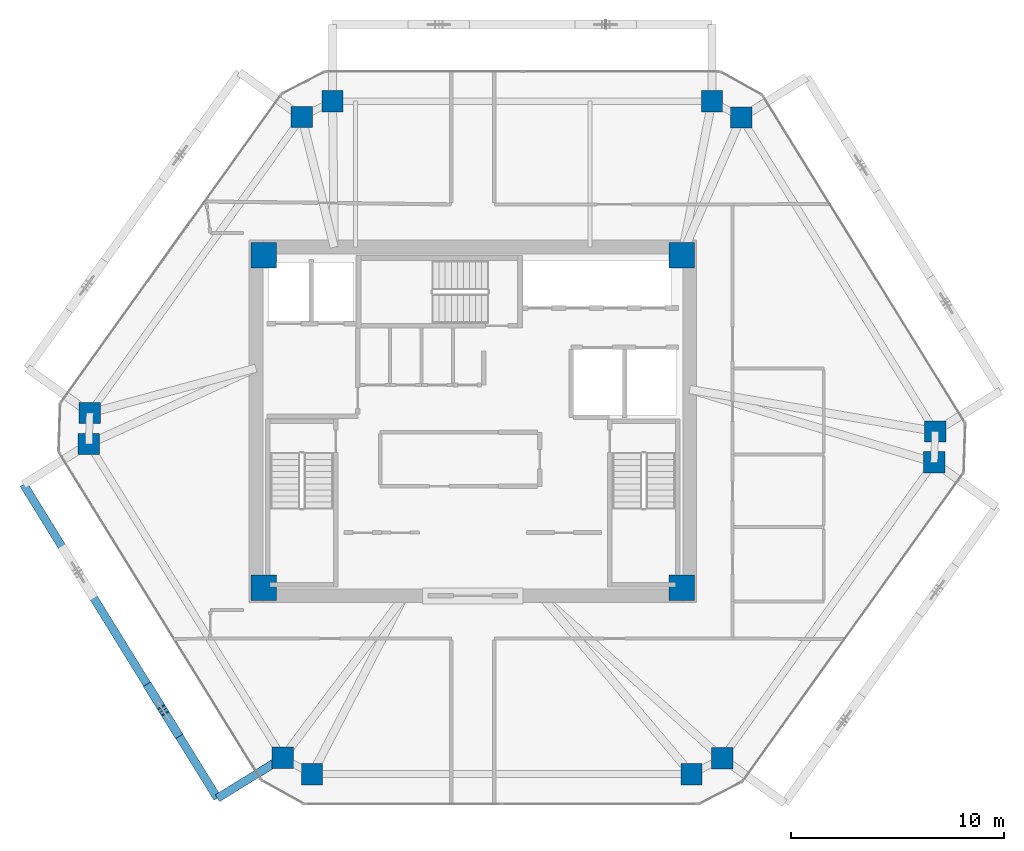
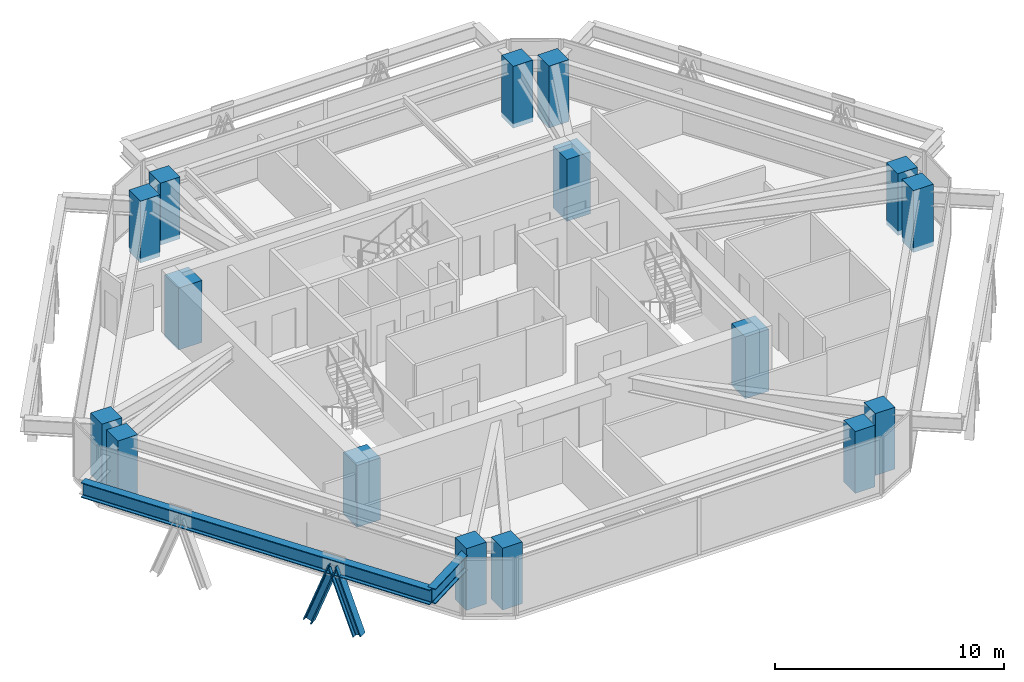
# One storey, part 1 of 13: 16 columns, 2 beams, 2 members.
"""IFC4 building model written with IfcOpenShell, lengths in metres."""

from ifc_helpers import new_model, si_unit, direction, frame, origin, origin_2d, place, context, subcontext, project, spatial, rectangle, i_section, extrude, source, transform, mapped, material, material_profile, profile_set, type_object, type_shapes, element, save


model = new_model("IFC4")

# Units and contexts
model_context = context("Model", 3, precision=1e-05, world=origin(), true_north=direction((0.0, 1.0)))
body_context = subcontext(model_context, "Body", "Model", "MODEL_VIEW")
ifc_project = project(units=[si_unit("LENGTHUNIT", "METRE"), si_unit("AREAUNIT", "SQUARE_METRE"), si_unit("VOLUMEUNIT", "CUBIC_METRE"), si_unit("PLANEANGLEUNIT", "RADIAN"), si_unit("MASSUNIT", "GRAM", prefix="KILO")], contexts=[model_context])

# Site, building, storey
site_placement = place(None, origin())
site = spatial("IfcSite", under=ifc_project, at=site_placement, CompositionType="ELEMENT")
building_placement = place(site_placement, origin())
building = spatial("IfcBuilding", under=site, at=building_placement, Name="Durnholm Broadcast Tower", CompositionType="ELEMENT")
storey_placement = place(building_placement, frame((0.0, 0.0, 167.199951171875)))
storey = spatial("IfcBuildingStorey", under=building, at=storey_placement, Name="L45", CompositionType="ELEMENT", Elevation=167.199951171875)

# Columns
ifc_material_1 = material(Name="Concrete C70/85", Category="concrete")
ifc_material_profile_1 = material_profile(ifc_material_1, rectangle(XDim=1.199951171875, YDim=1.199951171875, at=origin_2d()), Name="RC1200X1200")
ifc_profile_set_1 = profile_set([ifc_material_profile_1], Name="Concrete C70/85")
column_type_1 = type_object("IfcColumnType", Name="COL-CC-1200", PredefinedType="COLUMN", material=ifc_profile_set_1)
shared_shape_1 = source(origin(), body_context, "Body", "SweptSolid", [
    extrude(rectangle(XDim=1.199951171875, YDim=1.199951171875, at=origin_2d()), origin(), (0.0, 0.0, 1.0), 3.300048828125),
])
type_shapes(column_type_1, [shared_shape_1])
for number, where, z_axis, x_axis, name in (
    (1, (-9.800048828125, -7.800048828125, -0.239990234375), (0.0, 0.0, 1.0), (1.0, 0.0, 0.0), "L45 core corner column 1"),
    (2, (9.800048828125, -7.800048828125, -0.239990234375), (0.0, 0.0, 1.0), (1.0, 0.0, 0.0), "L45 core corner column 2"),
    (3, (9.800048828125, 7.800048828125, -0.239990234375), (0.0, 0.0, 1.0), (1.0, 0.0, 0.0), "L45 core corner column 3"),
    (4, (-9.800048828125, 7.800048828125, -0.239990234375), (0.0, 0.0, 1.0), (1.0, 0.0, 0.0), "L45 core corner column 4"),
):
    element("IfcColumn", number, at=place(storey_placement, frame(where, z_axis=z_axis, x_axis=x_axis)), inside=storey, type_object=column_type_1, Name=name, PredefinedType="COLUMN", context=body_context, shape_type="MappedRepresentation", body=[
        mapped(shared_shape_1, transform((0.0, 0.0, 0.0), x_axis=(1.0, 0.0, 0.0), y_axis=(0.0, 1.0, 0.0), z_axis=(0.0, 0.0, 1.0), scale=1.0)),
    ])
ifc_material_profile_2 = material_profile(ifc_material_1, rectangle(XDim=1.0, YDim=1.0, at=origin_2d()), Name="RC1000X1000")
ifc_profile_set_2 = profile_set([ifc_material_profile_2], Name="Concrete C70/85")
column_type_2 = type_object("IfcColumnType", Name="COL-CC-1000", PredefinedType="COLUMN", material=ifc_profile_set_2)
shared_shape_2 = source(origin(), body_context, "Body", "SweptSolid", [
    extrude(rectangle(XDim=1.0, YDim=1.0, at=origin_2d()), origin(), (0.0, 0.0, 1.0), 3.300048828125),
])
type_shapes(column_type_2, [shared_shape_2])
for number, where, z_axis, x_axis, name in (
    (5, (-8.91259765625, -15.7763671875, -0.239990234375), (0.0, 0.0, 1.0), (1.0, 0.0, 0.0), "L45 perimeter hexagonal tube column 01"),
    (6, (-18.009033203125, -1.056640625, -0.239990234375), (0.0, 0.0, 1.0), (1.0, 0.0, 0.0), "L45 perimeter hexagonal tube column 02"),
    (7, (-17.9599609375, 0.3955078125, -0.239990234375), (0.0, 0.0, 1.0), (1.0, 0.0, 0.0), "L45 perimeter hexagonal tube column 03"),
    (8, (-8.021728515625, 14.2763671875, -0.239990234375), (0.0, 0.0, 1.0), (1.0, 0.0, 0.0), "L45 perimeter hexagonal tube column 04"),
    (9, (-6.57861328125, 15.01806640625, -0.239990234375), (0.0, 0.0, 1.0), (1.0, 0.0, 0.0), "L45 perimeter hexagonal tube column 05"),
    (10, (11.217529296875, 15.01806640625, -0.239990234375), (0.0, 0.0, 1.0), (1.0, 0.0, 0.0), "L45 perimeter hexagonal tube column 06"),
    (11, (12.5908203125, 14.252197265625, -0.239990234375), (0.0, 0.0, 1.0), (1.0, 0.0, 0.0), "L45 perimeter hexagonal tube column 07"),
    (12, (21.68701171875, -0.46728515625, -0.239990234375), (0.0, 0.0, 1.0), (1.0, 0.0, 0.0), "L45 perimeter hexagonal tube column 08"),
    (13, (21.637939453125, -1.919677734375, -0.239990234375), (0.0, 0.0, 1.0), (1.0, 0.0, 0.0), "L45 perimeter hexagonal tube column 09"),
    (14, (11.69970703125, -15.80029296875, -0.239990234375), (0.0, 0.0, 1.0), (1.0, 0.0, 0.0), "L45 perimeter hexagonal tube column 10"),
    (15, (10.256591796875, -16.5419921875, -0.239990234375), (0.0, 0.0, 1.0), (1.0, 0.0, 0.0), "L45 perimeter hexagonal tube column 11"),
    (16, (-7.53955078125, -16.5419921875, -0.239990234375), (0.0, 0.0, 1.0), (1.0, 0.0, 0.0), "L45 perimeter hexagonal tube column 12"),
):
    element("IfcColumn", number, at=place(storey_placement, frame(where, z_axis=z_axis, x_axis=x_axis)), inside=storey, type_object=column_type_2, Name=name, PredefinedType="COLUMN", context=body_context, shape_type="MappedRepresentation", body=[
        mapped(shared_shape_2, transform((0.0, 0.0, 0.0), x_axis=(1.0, 0.0, 0.0), y_axis=(0.0, 1.0, 0.0), z_axis=(0.0, 0.0, 1.0), scale=1.0)),
    ])

# Beams
ifc_material_2 = material(Name="Steel ASTM A992 Grade 50", Category="steel")
ifc_material_profile_3 = material_profile(ifc_material_2, i_section(OverallWidth=0.385009765625, OverallDepth=0.802978515625, WebThickness=0.023681640625, FlangeThickness=0.0419921875, FilletRadius=0.032958984375, at=origin_2d()), Name="W30X261")
ifc_profile_set_3 = profile_set([ifc_material_profile_3], Name="Steel ASTM A992 Grade 50")
beam_type = type_object("IfcBeamType", Name="BM-EXO-TIE", PredefinedType="USERDEFINED", material=ifc_profile_set_3)
shared_shape_3 = source(origin(), body_context, "Body", "SweptSolid", [
    extrude(i_section(OverallWidth=0.385009765625, OverallDepth=0.802978515625, WebThickness=0.023681640625, FlangeThickness=0.0419921875, FilletRadius=0.032958984375, at=origin_2d()), origin(), (0.0, 0.0, 1.0), 3.4560546875),
])
beam_1_placement = place(storey_placement, frame((-9.03515625, -15.85205078125, 2.30859375), z_axis=(-0.850693939061, -0.525661318764, 0.0), x_axis=(0.525661318764, -0.850693939061, 0.0)))
element("IfcBeam", 17, at=beam_1_placement, inside=storey, type_object=beam_type, Name="L45 exoskeleton stand-off tie bracket F6.2", ObjectType="GIRDER", PredefinedType="USERDEFINED", context=body_context, shape_type="MappedRepresentation", body=[
    mapped(shared_shape_3, transform((0.0, 0.0, 0.0), x_axis=(1.0, 0.0, 0.0), y_axis=(0.0, 1.0, 0.0), z_axis=(0.0, 0.0, 1.0), scale=1.0)),
])
shared_shape_4 = source(origin(), body_context, "Body", "SweptSolid", [
    extrude(i_section(OverallWidth=0.385009765625, OverallDepth=0.802978515625, WebThickness=0.023681640625, FlangeThickness=0.0419921875, FilletRadius=0.032958984375, at=origin_2d()), origin(), (0.0, 0.0, 1.0), 17.303466796875),
])
type_shapes(beam_type, [shared_shape_3, shared_shape_4])
beam_2_placement = place(storey_placement, frame((-21.071533203125, -2.94921875, 2.30859375), z_axis=(0.525701634347, -0.850669025911, 0.0), x_axis=(0.850669025911, 0.525701634347, 0.0)))
element("IfcBeam", 18, at=beam_2_placement, inside=storey, type_object=beam_type, Name="L45 exoskeleton collector spandrel F6", PredefinedType="SPANDREL", context=body_context, shape_type="MappedRepresentation", body=[
    mapped(shared_shape_4, transform((0.0, 0.0, 0.0), x_axis=(1.0, 0.0, 0.0), y_axis=(0.0, 1.0, 0.0), z_axis=(0.0, 0.0, 1.0), scale=1.0)),
])

# Members
ifc_material_3 = material(Name="Steel ASTM A913 Grade 65", Category="steel")
ifc_material_profile_4 = material_profile(ifc_material_3, i_section(OverallWidth=0.412109375, OverallDepth=0.434814453125, WebThickness=0.035888671875, FlangeThickness=0.057373046875, FilletRadius=0.030517578125, at=origin_2d()), Name="W14X311")
ifc_profile_set_4 = profile_set([ifc_material_profile_4], Name="Steel ASTM A913 Grade 65")
member_type = type_object("IfcMemberType", Name="STL-DG-W14X311", PredefinedType="BRACE", material=ifc_profile_set_4)
shared_shape_5 = source(origin(), body_context, "Body", "SweptSolid", [
    extrude(i_section(OverallWidth=0.412109375, OverallDepth=0.434814453125, WebThickness=0.035888671875, FlangeThickness=0.057373046875, FilletRadius=0.030517578125, at=origin_2d()), origin(), (0.0, 0.0, 1.0), 3.523193359375),
])
type_shapes(member_type, [shared_shape_5])
for number, where, z_axis, x_axis, name in (
    (19, (-15.170654296875, -12.497802734375, -0.991455078125), (0.184052089489, -0.297906601172, 0.936683770188), (0.850732935913, 0.525598203719, 0.0), "L45 stand-off diagrid brace F6.D2.1"),
    (20, (-13.87353515625, -14.596923828125, -0.991455078125), (-0.18411903749, 0.297902800967, 0.936671821509), (-0.850644447398, -0.525741404219, 0.0), "L45 stand-off diagrid brace F6.D2.2"),
):
    element("IfcMember", number, at=place(storey_placement, frame(where, z_axis=z_axis, x_axis=x_axis)), inside=storey, type_object=member_type, Name=name, PredefinedType="BRACE", context=body_context, shape_type="MappedRepresentation", body=[
        mapped(shared_shape_5, transform((0.0, 0.0, 0.0), x_axis=(1.0, 0.0, 0.0), y_axis=(0.0, 1.0, 0.0), z_axis=(0.0, 0.0, 1.0), scale=1.0)),
    ])

save(model, "model.ifc")
